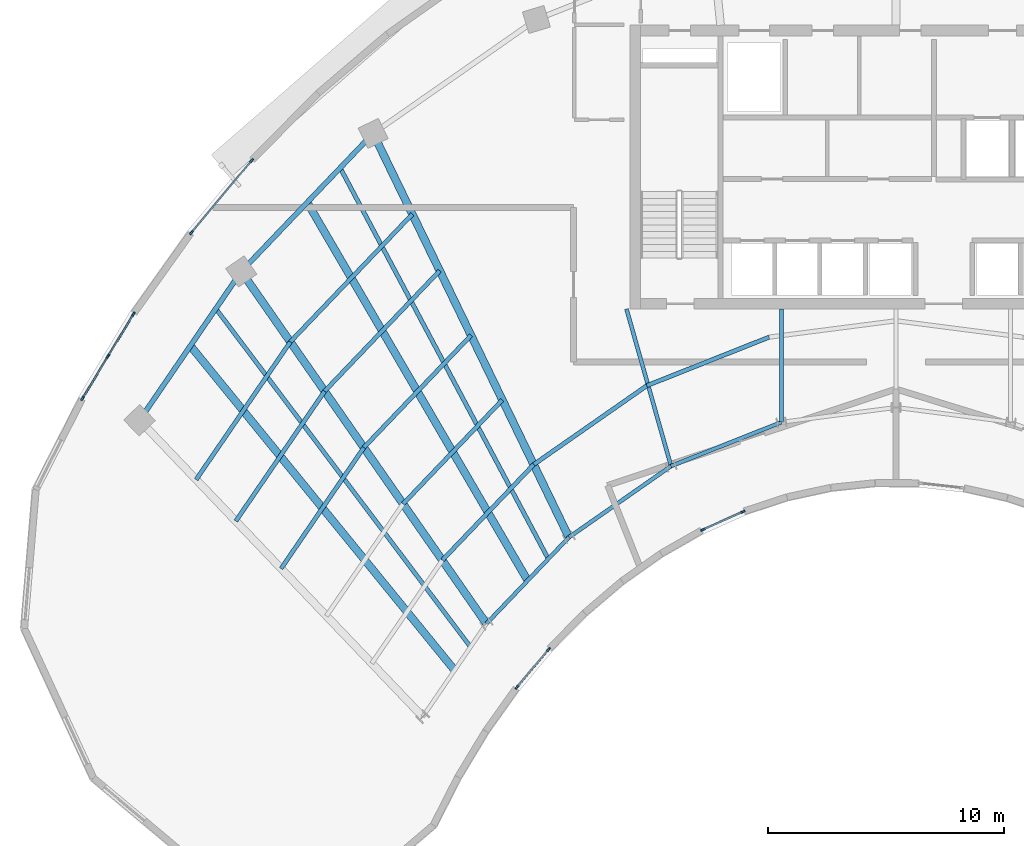
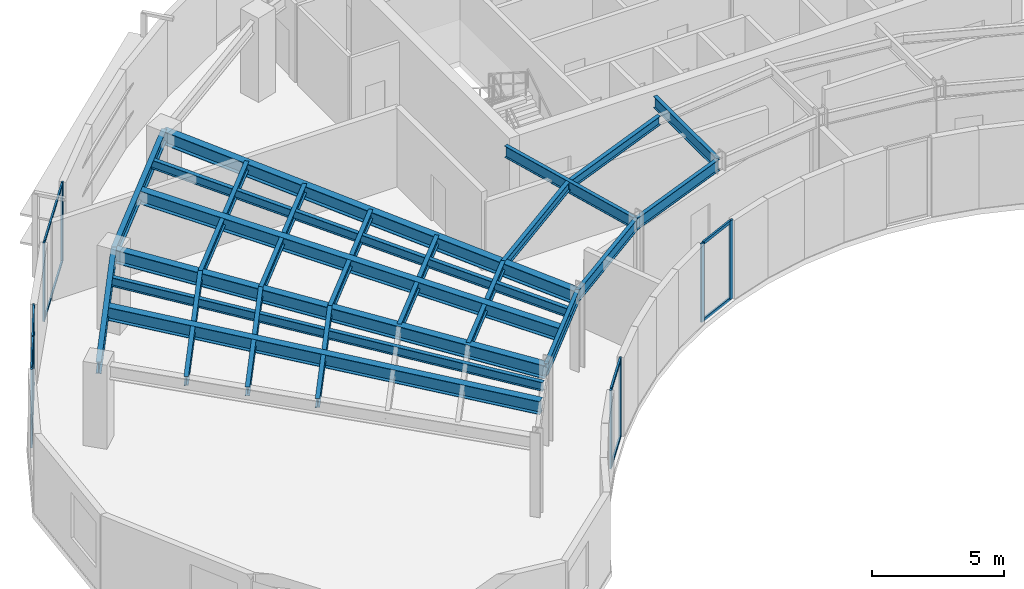
# One storey, part 2 of 15: 23 beams, 21 members, 4 elements without a shape of their own.
"""IFC4 building model written with IfcOpenShell, lengths in metres."""

import ifcopenshell
import ifcopenshell.guid

model = None  # the IFC model being written
_history = None  # IfcOwnerHistory: only IFC2X3 demands one
_inside = {}  # id of a spatial element -> (the spatial element, [elements in it])
_under = {}  # id of a project, library or spatial element -> (it, [spatial elements below it])
_declared = {}  # id of a project -> (the project, [libraries it declares])
_typed = {}  # id of a type object -> (the type object, [elements of that type])
_made_of = {}  # id of a material, layer set ... -> (it, [elements and type objects made of it])


def new_model(schema):
    """Start an empty IFC model of exactly this schema.

    Asked for "IFC4X3", IfcOpenShell would pick the latest addendum, in which some entities
    have other attributes; the version numbers below select the first issue.
    IFC2X3 requires an IfcOwnerHistory on every rooted entity: one is made here for all.
    """
    global model, _history
    if schema == "IFC4X3":
        model = ifcopenshell.file(schema_version=(4, 3, 0, 0))
    else:
        model = ifcopenshell.file(schema=schema)
    _inside.clear()
    _under.clear()
    _declared.clear()
    _typed.clear()
    _made_of.clear()
    _history = None
    if model.schema == "IFC2X3":
        org = make("IfcOrganization", Name="unknown")
        user = make(
            "IfcPersonAndOrganization",
            ThePerson=make("IfcPerson", FamilyName="unknown"),
            TheOrganization=org,
        )
        app = make(
            "IfcApplication",
            ApplicationDeveloper=org,
            Version="unknown",
            ApplicationFullName="unknown",
            ApplicationIdentifier="unknown",
        )
        _history = make(
            "IfcOwnerHistory",
            OwningUser=user,
            OwningApplication=app,
            ChangeAction="ADDED",
            CreationDate=0,
        )
    return model


def make(cls, **values):
    """One entity of the class cls with the attributes given. An attribute that is None is left unset."""
    return model.create_entity(
        cls, **{name: value for name, value in values.items() if value is not None}
    )


def rooted(cls, **values):
    """An entity with a GlobalId (a new one), such as an element, a storey or a relation."""
    return make(cls, GlobalId=ifcopenshell.guid.new(), OwnerHistory=_history, **values)


def si_unit(unit_type, name, prefix=None):
    """IfcSIUnit, for example si_unit("LENGTHUNIT", "METRE", prefix="MILLI")."""
    return make("IfcSIUnit", UnitType=unit_type, Prefix=prefix, Name=name)


def assignment(units):
    """IfcUnitAssignment: the units of a project."""
    return None if units is None else make("IfcUnitAssignment", Units=units)


def point(xyz):
    """IfcCartesianPoint."""
    return None if xyz is None else make("IfcCartesianPoint", Coordinates=xyz)


def direction(xyz):
    """IfcDirection."""
    return None if xyz is None else make("IfcDirection", DirectionRatios=xyz)


def frame(location, z_axis=None, x_axis=None):
    """IfcAxis2Placement3D, a coordinate frame: its origin and axes. An axis left out is left unset."""
    return make(
        "IfcAxis2Placement3D",
        Location=point(location),
        Axis=direction(z_axis),
        RefDirection=direction(x_axis),
    )


def frame_2d(location, x_axis=None):
    """IfcAxis2Placement2D, a coordinate frame in the plane: its origin and x axis."""
    return make(
        "IfcAxis2Placement2D", Location=point(location), RefDirection=direction(x_axis)
    )


def origin():
    """The frame at (0, 0, 0) with its axes left unset."""
    return frame((0.0, 0.0, 0.0))


def origin_2d():
    """The frame at (0, 0) in the plane with its x axis left unset."""
    return frame_2d((0.0, 0.0))


def place(relative_to, where):
    """IfcLocalPlacement: puts the frame where relative to a parent placement (None: the world)."""
    return make(
        "IfcLocalPlacement", PlacementRelTo=relative_to, RelativePlacement=where
    )


def context(
    kind, dimensions, precision=None, world=None, true_north=None, identifier=None
):
    """IfcGeometricRepresentationContext, for example the 3D "Model" context."""
    return make(
        "IfcGeometricRepresentationContext",
        ContextIdentifier=identifier,
        ContextType=kind,
        CoordinateSpaceDimension=dimensions,
        Precision=precision,
        WorldCoordinateSystem=world,
        TrueNorth=true_north,
    )


def subcontext(parent, identifier, kind, view, scale=None):
    """IfcGeometricRepresentationSubContext, for example "Body" below "Model"."""
    return make(
        "IfcGeometricRepresentationSubContext",
        ContextIdentifier=identifier,
        ContextType=kind,
        ParentContext=parent,
        TargetScale=scale,
        TargetView=view,
    )


def project(units=None, contexts=None):
    """IfcProject with its units and contexts."""
    return rooted(
        "IfcProject",
        Name="project",
        RepresentationContexts=contexts,
        UnitsInContext=assignment(units),
    )


def spatial(cls, under=None, at=None, **own):
    """A site, building, storey or space (cls), placed at a placement, below another one or the project."""
    s = rooted(cls, ObjectPlacement=at, **own)
    if under is not None:
        _under.setdefault(under.id(), (under, []))[1].append(s)
    return s


def profile(cls, at=None, kind="AREA", **sizes):
    """A parametric profile (cls). Its sizes go by their IFC names, for example OverallWidth=200.0."""
    return make(cls, ProfileType=kind, Position=at, **sizes)


def rectangle(**sizes):
    """IfcRectangleProfileDef."""
    return profile("IfcRectangleProfileDef", **sizes)


def i_section(**sizes):
    """IfcIShapeProfileDef."""
    return profile("IfcIShapeProfileDef", **sizes)


def extrude(swept, where, along, depth):
    """IfcExtrudedAreaSolid: the profile swept, set in the frame where, extruded along a direction by depth."""
    return make(
        "IfcExtrudedAreaSolid",
        SweptArea=swept,
        Position=where,
        ExtrudedDirection=direction(along),
        Depth=depth,
    )


def shape(context_of_items, identifier, shape_type, items):
    """IfcShapeRepresentation: the items that make up one representation, for example the "Body"."""
    return make(
        "IfcShapeRepresentation",
        ContextOfItems=context_of_items,
        RepresentationIdentifier=identifier,
        RepresentationType=shape_type,
        Items=items,
    )


def source(mapping_origin, context_of_items, identifier, shape_type, items):
    """IfcRepresentationMap: a shape defined once, which mapped items show again and again."""
    return make(
        "IfcRepresentationMap",
        MappingOrigin=mapping_origin,
        MappedRepresentation=shape(context_of_items, identifier, shape_type, items),
    )


def transform(
    local_origin,
    x_axis=None,
    y_axis=None,
    z_axis=None,
    scale=None,
    scale2=None,
    scale3=None,
    uniform=True,
):
    """IfcCartesianTransformationOperator3D, or its non-uniform kind. x_axis, y_axis, z_axis: its Axis1, 2, 3."""
    if uniform:
        return make(
            "IfcCartesianTransformationOperator3D",
            Axis1=direction(x_axis),
            Axis2=direction(y_axis),
            LocalOrigin=point(local_origin),
            Scale=scale,
            Axis3=direction(z_axis),
        )
    return make(
        "IfcCartesianTransformationOperator3DnonUniform",
        Axis1=direction(x_axis),
        Axis2=direction(y_axis),
        LocalOrigin=point(local_origin),
        Scale=scale,
        Axis3=direction(z_axis),
        Scale2=scale2,
        Scale3=scale3,
    )


def mapped(mapping_source, mapping_target):
    """IfcMappedItem: shows the shape of a source again, moved by a transform."""
    return make(
        "IfcMappedItem", MappingSource=mapping_source, MappingTarget=mapping_target
    )


def material(Name=None, Category=None):
    """IfcMaterial."""
    return make("IfcMaterial", Name=Name, Category=Category)


def layer(
    of_material, thickness, ventilated=None, Name=None, Category=None, Priority=None
):
    """IfcMaterialLayer: one layer of a wall or slab, of a material (None: an air gap)."""
    return make(
        "IfcMaterialLayer",
        Material=of_material,
        LayerThickness=thickness,
        IsVentilated=ventilated,
        Name=Name,
        Category=Category,
        Priority=Priority,
    )


def layer_set(layers, Name=None):
    """IfcMaterialLayerSet."""
    return make("IfcMaterialLayerSet", MaterialLayers=layers, LayerSetName=Name)


def material_profile(
    of_material, cross_section, Name=None, Category=None, Priority=None
):
    """IfcMaterialProfile: a cross section and its material."""
    return make(
        "IfcMaterialProfile",
        Name=Name,
        Material=of_material,
        Profile=cross_section,
        Priority=Priority,
        Category=Category,
    )


def profile_set(profiles, Name=None, composite=None):
    """IfcMaterialProfileSet."""
    return make(
        "IfcMaterialProfileSet",
        Name=Name,
        MaterialProfiles=profiles,
        CompositeProfile=composite,
    )


def made_of(thing, what):
    """Note that an element or type object is made of a material, layer set ...; save() writes the relation."""
    if what is not None:
        _made_of.setdefault(what.id(), (what, []))[1].append(thing)
    return thing


def type_object(cls, material=None, **own):
    """A type object (cls), such as IfcWallType, which elements share."""
    return made_of(rooted(cls, **own), material)


def type_shapes(of_type, sources):
    """Give a type object the sources (RepresentationMaps) that its elements show as mapped items."""
    of_type.RepresentationMaps = sources


def element(
    cls,
    number,
    at=None,
    inside=None,
    cuts=None,
    type_object=None,
    material=None,
    context=None,
    identifier="Body",
    shape_type=None,
    held_by="IfcProductDefinitionShape",
    body=None,
    shapes=None,
    **own,
):
    """One element of the class cls, such as IfcWall. Its Tag is "e" and its number.

    at: its placement. inside: the storey or other place that contains it. cuts: it is an
    opening in that element (IfcRelVoidsElement). A single representation is given by context,
    identifier, shape_type and body (its items); several are given by shapes. held_by: the class
    of the entity that holds the representations. save() writes the other relations.
    """
    e = rooted(cls, Tag="e%d" % number, ObjectPlacement=at, **own)
    if body is not None:
        shapes = [shape(context, identifier, shape_type, body)]
    if shapes is not None:
        e.Representation = make(held_by, Representations=shapes)
    if inside is not None:
        _inside.setdefault(inside.id(), (inside, []))[1].append(e)
    if cuts is not None:
        rooted(
            "IfcRelVoidsElement", RelatingBuildingElement=cuts, RelatedOpeningElement=e
        )
    if type_object is not None:
        _typed.setdefault(type_object.id(), (type_object, []))[1].append(e)
    return made_of(e, material)


def aggregate(whole, parts):
    """IfcRelAggregates: a whole, such as a stair, and the parts it consists of."""
    return rooted("IfcRelAggregates", RelatingObject=whole, RelatedObjects=parts)


def save(model, path):
    """Write the relations noted so far, then the file.

    IfcRelAggregates (storeys below a building ...), IfcRelContainedInSpatialStructure (elements
    in a storey), IfcRelDefinesByType, IfcRelAssociatesMaterial and IfcRelDeclares: one each for
    every whole, place, type object, material and project.
    """
    for whole, parts in _under.values():
        aggregate(whole, parts)
    for where, things in _inside.values():
        rooted(
            "IfcRelContainedInSpatialStructure",
            RelatedElements=things,
            RelatingStructure=where,
        )
    for kind, things in _typed.values():
        rooted("IfcRelDefinesByType", RelatedObjects=things, RelatingType=kind)
    for what, things in _made_of.values():
        rooted("IfcRelAssociatesMaterial", RelatedObjects=things, RelatingMaterial=what)
    for by, libraries in _declared.values():
        rooted("IfcRelDeclares", RelatingContext=by, RelatedDefinitions=libraries)
    model.write(path)


model = new_model("IFC4")

# Units and contexts
model_context = context("Model", 3, precision=1e-05, world=origin(), true_north=direction((0.0, 1.0)))
body_context = subcontext(model_context, "Body", "Model", "MODEL_VIEW")
ifc_project = project(units=[si_unit("LENGTHUNIT", "METRE"), si_unit("AREAUNIT", "SQUARE_METRE"), si_unit("VOLUMEUNIT", "CUBIC_METRE"), si_unit("PLANEANGLEUNIT", "RADIAN"), si_unit("MASSUNIT", "GRAM", prefix="KILO")], contexts=[model_context])

# Site, building, storey
site_placement = place(None, origin())
site = spatial("IfcSite", under=ifc_project, at=site_placement, CompositionType="ELEMENT")
building_placement = place(site_placement, origin())
building = spatial("IfcBuilding", under=site, at=building_placement, Name="Breltana Convention Tower", CompositionType="ELEMENT")
storey_placement = place(building_placement, frame((0.0, 0.0, 231.300048828125)))
storey = spatial("IfcBuildingStorey", under=building, at=storey_placement, Name="L56", CompositionType="ELEMENT", Elevation=231.300048828125)

# Beams
ifc_material_1 = material(Name="Steel ASTM A992 Grade 50", Category="steel")
ifc_material_profile_1 = material_profile(ifc_material_1, i_section(OverallWidth=0.323974609375, OverallDepth=0.611083984375, WebThickness=0.0126953125, FlangeThickness=0.01904296875, at=origin_2d()), Name="W24X104")
ifc_profile_set_1 = profile_set([ifc_material_profile_1], Name="Steel ASTM A992 Grade 50")
beam_type_1 = type_object("IfcBeamType", Name="BM-JSG-01", PredefinedType="JOIST", material=ifc_profile_set_1)
shared_shape_1 = source(origin(), body_context, "Body", "SweptSolid", [
    extrude(i_section(OverallWidth=0.323974609375, OverallDepth=0.611083984375, WebThickness=0.0126953125, FlangeThickness=0.01904296875, at=origin_2d()), origin(), (0.0, 0.0, 1.0), 17.691650390625),
])
type_shapes(beam_type_1, [shared_shape_1])
beam_1_placement = place(storey_placement, frame((29.330810546875, 44.923583984375, 3.344482421875), z_axis=(-0.631476958478, 0.775394642044, 0.0), x_axis=(-0.775394642044, -0.631476958478, 0.0)))
element("IfcBeam", 1, at=beam_1_placement, inside=storey, type_object=beam_type_1, Name="L56 Mid-Bay Radial Trimmer 01", PredefinedType="JOIST", context=body_context, shape_type="MappedRepresentation", body=[
    mapped(shared_shape_1, transform((0.0, 0.0, 0.0), scale=1.0)),
])
ifc_material_profile_2 = material_profile(ifc_material_1, i_section(OverallWidth=0.179931640625, OverallDepth=0.4130859375, WebThickness=0.009765625, FlangeThickness=0.01611328125, at=origin_2d()), Name="W16X50")
ifc_profile_set_2 = profile_set([ifc_material_profile_2], Name="Steel ASTM A992 Grade 50")
beam_type_2 = type_object("IfcBeamType", Name="BM-JSG-08", PredefinedType="JOIST", material=ifc_profile_set_2)
shared_shape_2 = source(origin(), body_context, "Body", "SweptSolid", [
    extrude(i_section(OverallWidth=0.179931640625, OverallDepth=0.4130859375, WebThickness=0.009765625, FlangeThickness=0.01611328125, at=origin_2d()), origin(), (0.0, 0.0, 1.0), 17.9072265625),
])
beam_2_placement = place(storey_placement, frame((30.00390625, 45.907958984375, 3.443359375), z_axis=(-0.601382105028, 0.798961553363, 0.0), x_axis=(-0.798961553363, -0.601382105028, 0.0)))
element("IfcBeam", 2, at=beam_2_placement, inside=storey, type_object=beam_type_2, Name="L56 Quarter-Bay Radial Trimmer 01", PredefinedType="JOIST", context=body_context, shape_type="MappedRepresentation", body=[
    mapped(shared_shape_2, transform((0.0, 0.0, 0.0), scale=1.0)),
])
shared_shape_3 = source(origin(), body_context, "Body", "SweptSolid", [
    extrude(i_section(OverallWidth=0.323974609375, OverallDepth=0.611083984375, WebThickness=0.0126953125, FlangeThickness=0.01904296875, at=origin_2d()), origin(), (0.0, 0.0, 1.0), 18.50830078125),
])
beam_3_placement = place(storey_placement, frame((32.421630859375, 48.71875, 3.344482421875), z_axis=(-0.50368319637, 0.863888440537, 0.0), x_axis=(-0.863888440537, -0.50368319637, 0.0)))
element("IfcBeam", 3, at=beam_3_placement, inside=storey, type_object=beam_type_1, Name="L56 Mid-Bay Radial Trimmer 02", PredefinedType="JOIST", context=body_context, shape_type="MappedRepresentation", body=[
    mapped(shared_shape_3, transform((0.0, 0.0, 0.0), scale=1.0)),
])
shared_shape_4 = source(origin(), body_context, "Body", "SweptSolid", [
    extrude(i_section(OverallWidth=0.179931640625, OverallDepth=0.4130859375, WebThickness=0.009765625, FlangeThickness=0.01611328125, at=origin_2d()), origin(), (0.0, 0.0, 1.0), 18.731689453125),
])
beam_4_placement = place(storey_placement, frame((33.2939453125, 49.6318359375, 3.443359375), z_axis=(-0.469820250451, 0.882762104004, 0.0), x_axis=(-0.882762104004, -0.469820250451, 0.0)))
element("IfcBeam", 4, at=beam_4_placement, inside=storey, type_object=beam_type_2, Name="L56 Quarter-Bay Radial Trimmer 02", PredefinedType="JOIST", context=body_context, shape_type="MappedRepresentation", body=[
    mapped(shared_shape_4, transform((0.0, 0.0, 0.0), scale=1.0)),
])
ifc_material_profile_3 = material_profile(ifc_material_1, i_section(OverallWidth=0.166015625, OverallDepth=0.534912109375, WebThickness=0.01025390625, FlangeThickness=0.0166015625, at=origin_2d()), Name="W21X57")
ifc_profile_set_3 = profile_set([ifc_material_profile_3], Name="Steel ASTM A992 Grade 50")
beam_type_3 = type_object("IfcBeamType", Name="BM-BM-W21X57", PredefinedType="BEAM", material=ifc_profile_set_3)
shared_shape_5 = source(origin(), body_context, "Body", "SweptSolid", [
    extrude(i_section(OverallWidth=0.166015625, OverallDepth=0.534912109375, WebThickness=0.01025390625, FlangeThickness=0.0166015625, at=origin_2d()), origin(), (0.0, 0.0, 1.0), 6.904541015625),
])
type_shapes(beam_type_3, [shared_shape_5])
beam_5_placement = place(storey_placement, frame((36.60009765625, 60.199951171875, 3.382568359375), z_axis=(0.273006781054, -0.962012108811, 0.0), x_axis=(0.962012108811, 0.273006781054, 0.0)))
element("IfcBeam", 5, at=beam_5_placement, inside=storey, type_object=beam_type_3, Name="L56 South Core Tie Girder R04", PredefinedType="BEAM", context=body_context, shape_type="MappedRepresentation", body=[
    mapped(shared_shape_5, transform((0.0, 0.0, 0.0), scale=1.0)),
])
shared_shape_6 = source(origin(), body_context, "Body", "SweptSolid", [
    extrude(i_section(OverallWidth=0.166015625, OverallDepth=0.534912109375, WebThickness=0.01025390625, FlangeThickness=0.0166015625, at=origin_2d()), origin(), (0.0, 0.0, 1.0), 4.789306640625),
])
beam_6_placement = place(storey_placement, frame((43.153564453125, 60.199951171875, 3.382568359375), z_axis=(0.0, -1.0, 0.0), x_axis=(1.0, 0.0, 0.0)))
element("IfcBeam", 6, at=beam_6_placement, inside=storey, type_object=beam_type_3, Name="L56 South Core Tie Girder R05", PredefinedType="BEAM", context=body_context, shape_type="MappedRepresentation", body=[
    mapped(shared_shape_6, transform((0.0, 0.0, 0.0), scale=1.0)),
])
shared_shape_7 = source(origin(), body_context, "Body", "SweptSolid", [
    extrude(i_section(OverallWidth=0.166015625, OverallDepth=0.534912109375, WebThickness=0.01025390625, FlangeThickness=0.0166015625, at=origin_2d()), origin(), (0.0, 0.0, 1.0), 5.05126953125),
])
beam_7_placement = place(storey_placement, frame((30.67724609375, 46.892333984375, 3.382568359375), z_axis=(0.690729753845, 0.7231129975, 0.0), x_axis=(-0.7231129975, 0.690729753845, 0.0)))
element("IfcBeam", 7, at=beam_7_placement, inside=storey, type_object=beam_type_3, Name="L56 Inner Ring Beam 02", PredefinedType="BEAM", context=body_context, shape_type="MappedRepresentation", body=[
    mapped(shared_shape_7, transform((0.0, 0.0, 0.0), scale=1.0)),
])
shared_shape_8 = source(origin(), body_context, "Body", "SweptSolid", [
    extrude(i_section(OverallWidth=0.166015625, OverallDepth=0.534912109375, WebThickness=0.01025390625, FlangeThickness=0.0166015625, at=origin_2d()), origin(), (0.0, 0.0, 1.0), 5.265869140625),
])
beam_8_placement = place(storey_placement, frame((34.166259765625, 50.544921875, 3.382568359375), z_axis=(0.820167429517, 0.572123577176, 0.0), x_axis=(-0.572123577176, 0.820167429517, 0.0)))
element("IfcBeam", 8, at=beam_8_placement, inside=storey, type_object=beam_type_3, Name="L56 Inner Ring Beam 03", PredefinedType="BEAM", context=body_context, shape_type="MappedRepresentation", body=[
    mapped(shared_shape_8, transform((0.0, 0.0, 0.0), scale=1.0)),
])
shared_shape_9 = source(origin(), body_context, "Body", "SweptSolid", [
    extrude(i_section(OverallWidth=0.166015625, OverallDepth=0.534912109375, WebThickness=0.01025390625, FlangeThickness=0.0166015625, at=origin_2d()), origin(), (0.0, 0.0, 1.0), 5.022705078125),
])
beam_9_placement = place(storey_placement, frame((38.485107421875, 53.5576171875, 3.382568359375), z_axis=(0.929458966248, 0.368925507469, 0.0), x_axis=(-0.368925507469, 0.929458966248, 0.0)))
element("IfcBeam", 9, at=beam_9_placement, inside=storey, type_object=beam_type_3, Name="L56 Inner Ring Beam 04", PredefinedType="BEAM", context=body_context, shape_type="MappedRepresentation", body=[
    mapped(shared_shape_9, transform((0.0, 0.0, 0.0), scale=1.0)),
])
ifc_material_profile_4 = material_profile(ifc_material_1, i_section(OverallWidth=0.326904296875, OverallDepth=0.6220703125, WebThickness=0.015380859375, FlangeThickness=0.0244140625, at=origin_2d()), Name="W24X131")
ifc_profile_set_4 = profile_set([ifc_material_profile_4], Name="Steel ASTM A992 Grade 50")
beam_type_4 = type_object("IfcBeamType", Name="BM-RG-W24X131", PredefinedType="USERDEFINED", material=ifc_profile_set_4)
shared_shape_10 = source(origin(), body_context, "Body", "SweptSolid", [
    extrude(i_section(OverallWidth=0.326904296875, OverallDepth=0.6220703125, WebThickness=0.015380859375, FlangeThickness=0.0244140625, at=origin_2d()), origin(), (0.0, 0.0, 1.0), 18.1484375),
])
beam_10_placement = place(storey_placement, frame((30.67724609375, 46.892333984375, 3.3388671875), z_axis=(-0.571207556098, 0.820805657788, 0.0), x_axis=(-0.820805657788, -0.571207556098, 0.0)))
element("IfcBeam", 10, at=beam_10_placement, inside=storey, type_object=beam_type_4, Name="L56 Radial Floor Girder R02", ObjectType="GIRDER", PredefinedType="USERDEFINED", context=body_context, shape_type="MappedRepresentation", body=[
    mapped(shared_shape_10, transform((0.0, 0.0, 0.0), scale=1.0)),
])
shared_shape_11 = source(origin(), body_context, "Body", "SweptSolid", [
    extrude(i_section(OverallWidth=0.326904296875, OverallDepth=0.6220703125, WebThickness=0.015380859375, FlangeThickness=0.0244140625, at=origin_2d()), origin(), (0.0, 0.0, 1.0), 18.982421875),
])
beam_11_placement = place(storey_placement, frame((34.166259765625, 50.544921875, 3.3388671875), z_axis=(-0.436118560343, 0.89988921614, 0.0), x_axis=(-0.89988921614, -0.436118560343, 0.0)))
element("IfcBeam", 11, at=beam_11_placement, inside=storey, type_object=beam_type_4, Name="L56 Radial Floor Girder R03", ObjectType="GIRDER", PredefinedType="USERDEFINED", context=body_context, shape_type="MappedRepresentation", body=[
    mapped(shared_shape_11, transform((0.0, 0.0, 0.0), scale=1.0)),
])
ifc_material_profile_5 = material_profile(ifc_material_1, i_section(OverallWidth=0.214111328125, OverallDepth=0.549072265625, WebThickness=0.0146484375, FlangeThickness=0.023681640625, at=origin_2d()), Name="W21X93")
ifc_profile_set_5 = profile_set([ifc_material_profile_5], Name="Steel ASTM A992 Grade 50")
beam_type_5 = type_object("IfcBeamType", Name="BM-SP-W21X93", PredefinedType="SPANDREL", material=ifc_profile_set_5)
shared_shape_12 = source(origin(), body_context, "Body", "SweptSolid", [
    extrude(i_section(OverallWidth=0.214111328125, OverallDepth=0.549072265625, WebThickness=0.0146484375, FlangeThickness=0.023681640625, at=origin_2d()), origin(), (0.0, 0.0, 1.0), 7.625),
])
type_shapes(beam_type_5, [shared_shape_12])
beam_12_placement = place(storey_placement, frame((16.0068359375, 55.494384765625, 3.37548828125), z_axis=(0.564452031902, 0.825465870694, 0.0), x_axis=(-0.825465870694, 0.564452031902, 0.0)))
element("IfcBeam", 12, at=beam_12_placement, inside=storey, type_object=beam_type_5, Name="L56 Outer Spandrel Beam 01", PredefinedType="SPANDREL", context=body_context, shape_type="MappedRepresentation", body=[
    mapped(shared_shape_12, transform((0.0, 0.0, 0.0), scale=1.0)),
])
shared_shape_13 = source(origin(), body_context, "Body", "SweptSolid", [
    extrude(i_section(OverallWidth=0.214111328125, OverallDepth=0.549072265625, WebThickness=0.0146484375, FlangeThickness=0.023681640625, at=origin_2d()), origin(), (0.0, 0.0, 1.0), 8.073974609375),
])
beam_13_placement = place(storey_placement, frame((20.310791015625, 61.78857421875, 3.37548828125), z_axis=(0.69072885448, 0.723113856588, 0.0), x_axis=(-0.723113856588, 0.69072885448, 0.0)))
element("IfcBeam", 13, at=beam_13_placement, inside=storey, type_object=beam_type_5, Name="L56 Outer Spandrel Beam 02", PredefinedType="SPANDREL", context=body_context, shape_type="MappedRepresentation", body=[
    mapped(shared_shape_13, transform((0.0, 0.0, 0.0), scale=1.0)),
])
shared_shape_14 = source(origin(), body_context, "Body", "SweptSolid", [
    extrude(i_section(OverallWidth=0.179931640625, OverallDepth=0.4130859375, WebThickness=0.009765625, FlangeThickness=0.01611328125, at=origin_2d()), origin(), (0.0, 0.0, 1.0), 6.19775390625),
])
beam_14_placement = place(storey_placement, frame((21.99560546875, 49.224609375, 3.443359375), z_axis=(0.56447913712, 0.825447335544, 0.0), x_axis=(-0.825447335544, 0.56447913712, 0.0)))
element("IfcBeam", 14, at=beam_14_placement, inside=storey, type_object=beam_type_2, Name="L56 Composite Floor Joist 01.3", PredefinedType="JOIST", context=body_context, shape_type="MappedRepresentation", body=[
    mapped(shared_shape_14, transform((0.0, 0.0, 0.0), scale=1.0)),
])
shared_shape_15 = source(origin(), body_context, "Body", "SweptSolid", [
    extrude(i_section(OverallWidth=0.179931640625, OverallDepth=0.4130859375, WebThickness=0.009765625, FlangeThickness=0.01611328125, at=origin_2d()), origin(), (0.0, 0.0, 1.0), 6.654541015625),
])
beam_15_placement = place(storey_placement, frame((20.0791015625, 51.23095703125, 3.443359375), z_axis=(0.564482668195, 0.82544492082, 0.0), x_axis=(-0.82544492082, 0.564482668195, 0.0)))
element("IfcBeam", 15, at=beam_15_placement, inside=storey, type_object=beam_type_2, Name="L56 Composite Floor Joist 01.4", PredefinedType="JOIST", context=body_context, shape_type="MappedRepresentation", body=[
    mapped(shared_shape_15, transform((0.0, 0.0, 0.0), scale=1.0)),
])
shared_shape_16 = source(origin(), body_context, "Body", "SweptSolid", [
    extrude(i_section(OverallWidth=0.179931640625, OverallDepth=0.4130859375, WebThickness=0.009765625, FlangeThickness=0.01611328125, at=origin_2d()), origin(), (0.0, 0.0, 1.0), 7.05419921875),
])
beam_16_placement = place(storey_placement, frame((18.40234375, 52.986572265625, 3.443359375), z_axis=(0.564485382828, 0.825443064405, 0.0), x_axis=(-0.825443064405, 0.564485382828, 0.0)))
element("IfcBeam", 16, at=beam_16_placement, inside=storey, type_object=beam_type_2, Name="L56 Composite Floor Joist 01.5", PredefinedType="JOIST", context=body_context, shape_type="MappedRepresentation", body=[
    mapped(shared_shape_16, transform((0.0, 0.0, 0.0), scale=1.0)),
])
shared_shape_17 = source(origin(), body_context, "Body", "SweptSolid", [
    extrude(i_section(OverallWidth=0.179931640625, OverallDepth=0.4130859375, WebThickness=0.009765625, FlangeThickness=0.01611328125, at=origin_2d()), origin(), (0.0, 0.0, 1.0), 5.59521484375),
])
beam_17_placement = place(storey_placement, frame((28.811279296875, 49.57373046875, 3.443359375), z_axis=(0.690711281401, 0.72313064224, 0.0), x_axis=(-0.72313064224, 0.690711281401, 0.0)))
element("IfcBeam", 17, at=beam_17_placement, inside=storey, type_object=beam_type_2, Name="L56 Composite Floor Joist 02.1", PredefinedType="JOIST", context=body_context, shape_type="MappedRepresentation", body=[
    mapped(shared_shape_17, transform((0.0, 0.0, 0.0), scale=1.0)),
])
shared_shape_18 = source(origin(), body_context, "Body", "SweptSolid", [
    extrude(i_section(OverallWidth=0.179931640625, OverallDepth=0.4130859375, WebThickness=0.009765625, FlangeThickness=0.01611328125, at=origin_2d()), origin(), (0.0, 0.0, 1.0), 6.0791015625),
])
beam_18_placement = place(storey_placement, frame((27.152587890625, 51.95703125, 3.443359375), z_axis=(0.690736468909, 0.723106583098, 0.0), x_axis=(-0.723106583098, 0.690736468909, 0.0)))
element("IfcBeam", 18, at=beam_18_placement, inside=storey, type_object=beam_type_2, Name="L56 Composite Floor Joist 02.2", PredefinedType="JOIST", context=body_context, shape_type="MappedRepresentation", body=[
    mapped(shared_shape_18, transform((0.0, 0.0, 0.0), scale=1.0)),
])
shared_shape_19 = source(origin(), body_context, "Body", "SweptSolid", [
    extrude(i_section(OverallWidth=0.179931640625, OverallDepth=0.4130859375, WebThickness=0.009765625, FlangeThickness=0.01611328125, at=origin_2d()), origin(), (0.0, 0.0, 1.0), 6.562255859375),
])
beam_19_placement = place(storey_placement, frame((25.494140625, 54.340576171875, 3.443359375), z_axis=(0.690719038213, 0.723123233101, 0.0), x_axis=(-0.723123233101, 0.690719038213, 0.0)))
element("IfcBeam", 19, at=beam_19_placement, inside=storey, type_object=beam_type_2, Name="L56 Composite Floor Joist 02.3", PredefinedType="JOIST", context=body_context, shape_type="MappedRepresentation", body=[
    mapped(shared_shape_19, transform((0.0, 0.0, 0.0), scale=1.0)),
])
shared_shape_20 = source(origin(), body_context, "Body", "SweptSolid", [
    extrude(i_section(OverallWidth=0.179931640625, OverallDepth=0.4130859375, WebThickness=0.009765625, FlangeThickness=0.01611328125, at=origin_2d()), origin(), (0.0, 0.0, 1.0), 7.046142578125),
])
beam_20_placement = place(storey_placement, frame((23.83544921875, 56.723876953125, 3.443359375), z_axis=(0.690722929904, 0.723119515782, 0.0), x_axis=(-0.723119515782, 0.690722929904, 0.0)))
element("IfcBeam", 20, at=beam_20_placement, inside=storey, type_object=beam_type_2, Name="L56 Composite Floor Joist 02.4", PredefinedType="JOIST", context=body_context, shape_type="MappedRepresentation", body=[
    mapped(shared_shape_20, transform((0.0, 0.0, 0.0), scale=1.0)),
])
shared_shape_21 = source(origin(), body_context, "Body", "SweptSolid", [
    extrude(i_section(OverallWidth=0.179931640625, OverallDepth=0.4130859375, WebThickness=0.009765625, FlangeThickness=0.01611328125, at=origin_2d()), origin(), (0.0, 0.0, 1.0), 7.469482421875),
])
beam_21_placement = place(storey_placement, frame((22.38427734375, 58.809326171875, 3.443359375), z_axis=(0.690708925898, 0.723132892133, 0.0), x_axis=(-0.723132892133, 0.690708925898, 0.0)))
element("IfcBeam", 21, at=beam_21_placement, inside=storey, type_object=beam_type_2, Name="L56 Composite Floor Joist 02.5", PredefinedType="JOIST", context=body_context, shape_type="MappedRepresentation", body=[
    mapped(shared_shape_21, transform((0.0, 0.0, 0.0), scale=1.0)),
])
shared_shape_22 = source(origin(), body_context, "Body", "SweptSolid", [
    extrude(i_section(OverallWidth=0.179931640625, OverallDepth=0.4130859375, WebThickness=0.009765625, FlangeThickness=0.01611328125, at=origin_2d()), origin(), (0.0, 0.0, 1.0), 5.8330078125),
])
beam_22_placement = place(storey_placement, frame((32.676025390625, 53.619873046875, 3.443359375), z_axis=(0.820198204115, 0.572079457739, 0.0), x_axis=(-0.572079457739, 0.820198204115, 0.0)))
element("IfcBeam", 22, at=beam_22_placement, inside=storey, type_object=beam_type_2, Name="L56 Composite Floor Joist 03.1", PredefinedType="JOIST", context=body_context, shape_type="MappedRepresentation", body=[
    mapped(shared_shape_22, transform((0.0, 0.0, 0.0), scale=1.0)),
])
shared_shape_23 = source(origin(), body_context, "Body", "SweptSolid", [
    extrude(i_section(OverallWidth=0.179931640625, OverallDepth=0.4130859375, WebThickness=0.009765625, FlangeThickness=0.01611328125, at=origin_2d()), origin(), (0.0, 0.0, 1.0), 5.563720703125),
])
beam_23_placement = place(storey_placement, frame((37.460205078125, 56.956787109375, 3.443359375), z_axis=(0.929447960386, 0.368953234074, 0.0), x_axis=(-0.368953234074, 0.929447960386, 0.0)))
element("IfcBeam", 23, at=beam_23_placement, inside=storey, type_object=beam_type_2, Name="L56 Composite Floor Joist 04.1", PredefinedType="JOIST", context=body_context, shape_type="MappedRepresentation", body=[
    mapped(shared_shape_23, transform((0.0, 0.0, 0.0), scale=1.0)),
])

# Curtain wall, members
ifc_material_2 = material(Name="Aluminium Anodised Bronze Frame", Category="aluminium")
ifc_layer_1 = layer(ifc_material_2, 0.18994140625, Name="Aluminium Anodised Bronze Frame")
ifc_layer_set_1 = layer_set([ifc_layer_1], Name="Aluminium Anodised Bronze Frame")
curtain_wall_type_1 = type_object("IfcCurtainWallType", Name="CW-SYS-1", PredefinedType="NOTDEFINED", material=ifc_layer_set_1)
curtain_wall_1_placement = place(storey_placement, origin())
curtain_wall_1 = element("IfcCurtainWall", 24, at=curtain_wall_1_placement, inside=storey, type_object=curtain_wall_type_1, Name="L56 inner south-court glazing 4", PredefinedType="NOTDEFINED")
ifc_material_3 = material(Name="Aluminium Anodised Bronze", Category="aluminium")
ifc_material_profile_6 = material_profile(ifc_material_3, rectangle(XDim=0.080078125, YDim=0.199951171875, at=origin_2d()), Name="CWM-80X200")
ifc_profile_set_6 = profile_set([ifc_material_profile_6], Name="Aluminium Anodised Bronze")
member_type_1 = type_object("IfcMemberType", Name="CWM-200", PredefinedType="MULLION", material=ifc_profile_set_6)
shared_shape_24 = source(origin(), body_context, "Body", "SweptSolid", [
    extrude(rectangle(XDim=0.080078125, YDim=0.199951171875, at=origin_2d()), origin(), (0.0, 0.0, 1.0), 3.64990234375),
])
member_1_placement = place(storey_placement, frame((41.520263671875, 51.623046875, 0.0), z_axis=(0.0, 0.0, 1.0), x_axis=(0.408602272116, -0.912712541396, 0.0)))
member_1 = element("IfcMember", 25, at=member_1_placement, type_object=member_type_1, Name="CW-01 mullion 1", PredefinedType="MULLION", context=body_context, shape_type="MappedRepresentation", body=[
    mapped(shared_shape_24, transform((0.0, 0.0, 0.0), scale=1.0)),
])
member_2_placement = place(storey_placement, frame((39.8310546875, 50.86669921875, 0.0), z_axis=(0.0, 0.0, 1.0), x_axis=(0.408602272116, -0.912712541396, 0.0)))
member_2 = element("IfcMember", 26, at=member_2_placement, type_object=member_type_1, Name="CW-01 mullion 2", PredefinedType="MULLION", context=body_context, shape_type="MappedRepresentation", body=[
    mapped(shared_shape_24, transform((0.0, 0.0, 0.0), scale=1.0)),
])

curtain_wall_2_placement = place(storey_placement, origin())
curtain_wall_2 = element("IfcCurtainWall", 27, at=curtain_wall_2_placement, inside=storey, type_object=curtain_wall_type_1, Name="L56 inner south-court glazing 5", PredefinedType="NOTDEFINED")
member_3_placement = place(storey_placement, frame((33.301025390625, 45.796875, 0.0), z_axis=(0.0, 0.0, 1.0), x_axis=(0.766884273635, -0.641785408725, 0.0)))
member_3 = element("IfcMember", 28, at=member_3_placement, type_object=member_type_1, Name="CW-01 mullion 1", PredefinedType="MULLION", context=body_context, shape_type="MappedRepresentation", body=[
    mapped(shared_shape_24, transform((0.0, 0.0, 0.0), scale=1.0)),
])
member_4_placement = place(storey_placement, frame((31.965576171875, 44.201171875, 0.0), z_axis=(0.0, 0.0, 1.0), x_axis=(0.766884273635, -0.641785408725, 0.0)))
member_4 = element("IfcMember", 29, at=member_4_placement, type_object=member_type_1, Name="CW-01 mullion 2", PredefinedType="MULLION", context=body_context, shape_type="MappedRepresentation", body=[
    mapped(shared_shape_24, transform((0.0, 0.0, 0.0), scale=1.0)),
])

ifc_layer_2 = layer(ifc_material_2, 0.219970703125, Name="Aluminium Anodised Bronze Frame")
ifc_layer_set_2 = layer_set([ifc_layer_2], Name="Aluminium Anodised Bronze Frame")
curtain_wall_type_2 = type_object("IfcCurtainWallType", Name="CW-SYS-4", PredefinedType="NOTDEFINED", material=ifc_layer_set_2)
curtain_wall_3_placement = place(storey_placement, origin())
curtain_wall_3 = element("IfcCurtainWall", 30, at=curtain_wall_3_placement, inside=storey, type_object=curtain_wall_type_2, Name="L56 outer double-skin inner glazing 1", PredefinedType="NOTDEFINED")
member_5_placement = place(storey_placement, frame((13.59912109375, 56.421630859375, 0.0), z_axis=(0.0, 0.0, 1.0), x_axis=(-0.856060706117, 0.516875291963, 0.0)))
member_5 = element("IfcMember", 31, at=member_5_placement, type_object=member_type_1, Name="CW-04 mullion 1", PredefinedType="MULLION", context=body_context, shape_type="MappedRepresentation", body=[
    mapped(shared_shape_24, transform((0.0, 0.0, 0.0), scale=1.0)),
])
member_6_placement = place(storey_placement, frame((14.6748046875, 58.203125, 0.0), z_axis=(0.0, 0.0, 1.0), x_axis=(-0.856060706117, 0.516875291963, 0.0)))
member_6 = element("IfcMember", 32, at=member_6_placement, type_object=member_type_1, Name="CW-04 mullion 2", PredefinedType="MULLION", context=body_context, shape_type="MappedRepresentation", body=[
    mapped(shared_shape_24, transform((0.0, 0.0, 0.0), scale=1.0)),
])
member_7_placement = place(storey_placement, frame((15.75048828125, 59.984619140625, 0.0), z_axis=(0.0, 0.0, 1.0), x_axis=(-0.856060706117, 0.516875291963, 0.0)))
member_7 = element("IfcMember", 33, at=member_7_placement, type_object=member_type_1, Name="CW-04 mullion 3", PredefinedType="MULLION", context=body_context, shape_type="MappedRepresentation", body=[
    mapped(shared_shape_24, transform((0.0, 0.0, 0.0), scale=1.0)),
])

curtain_wall_4_placement = place(storey_placement, origin())
curtain_wall_4 = element("IfcCurtainWall", 34, at=curtain_wall_4_placement, inside=storey, type_object=curtain_wall_type_2, Name="L56 outer double-skin inner glazing 2", PredefinedType="NOTDEFINED")
member_8_placement = place(storey_placement, frame((18.201416015625, 63.43017578125, 0.0), z_axis=(0.0, 0.0, 1.0), x_axis=(-0.766902846562, 0.64176321485, 0.0)))
member_8 = element("IfcMember", 35, at=member_8_placement, type_object=member_type_1, Name="CW-04 mullion 1", PredefinedType="MULLION", context=body_context, shape_type="MappedRepresentation", body=[
    mapped(shared_shape_24, transform((0.0, 0.0, 0.0), scale=1.0)),
])
member_9_placement = place(storey_placement, frame((20.750732421875, 66.4765625, 0.0), z_axis=(0.0, 0.0, 1.0), x_axis=(-0.766902846562, 0.64176321485, 0.0)))
member_9 = element("IfcMember", 36, at=member_9_placement, type_object=member_type_1, Name="CW-04 mullion 2", PredefinedType="MULLION", context=body_context, shape_type="MappedRepresentation", body=[
    mapped(shared_shape_24, transform((0.0, 0.0, 0.0), scale=1.0)),
])

# Member
ifc_material_profile_7 = material_profile(ifc_material_3, rectangle(XDim=0.080078125, YDim=0.139892578125, at=origin_2d()), Name="CWT-80X140")
ifc_profile_set_7 = profile_set([ifc_material_profile_7], Name="Aluminium Anodised Bronze")
member_type_2 = type_object("IfcMemberType", Name="CWT-140", PredefinedType="USERDEFINED", material=ifc_profile_set_7)
shared_shape_25 = source(origin(), body_context, "Body", "SweptSolid", [
    extrude(rectangle(XDim=0.080078125, YDim=0.139892578125, at=origin_2d()), origin(), (0.0, 0.0, 1.0), 1.770751953125),
])
member_10_placement = place(storey_placement, frame((41.48388671875, 51.606689453125, 0.0400390625), z_axis=(-0.9126937852, -0.408644166062, 0.0), x_axis=(0.408644166062, -0.9126937852, 0.0)))
member_10 = element("IfcMember", 37, at=member_10_placement, type_object=member_type_2, Name="CW-01 transom 1.1", ObjectType="TRANSOM", PredefinedType="USERDEFINED", context=body_context, shape_type="MappedRepresentation", body=[
    mapped(shared_shape_25, transform((0.0, 0.0, 0.0), scale=1.0)),
])

member_11_placement = place(storey_placement, frame((41.48388671875, 51.606689453125, 3.60986328125), z_axis=(-0.9126937852, -0.408644166062, 0.0), x_axis=(0.408644166062, -0.9126937852, 0.0)))
member_11 = element("IfcMember", 38, at=member_11_placement, type_object=member_type_2, Name="CW-01 transom 1.2", ObjectType="TRANSOM", PredefinedType="USERDEFINED", context=body_context, shape_type="MappedRepresentation", body=[
    mapped(shared_shape_25, transform((0.0, 0.0, 0.0), scale=1.0)),
])

aggregate(curtain_wall_1, [member_1, member_2, member_10, member_11])

shared_shape_26 = source(origin(), body_context, "Body", "SweptSolid", [
    extrude(rectangle(XDim=0.080078125, YDim=0.139892578125, at=origin_2d()), origin(), (0.0, 0.0, 1.0), 2.000732421875),
])
member_12_placement = place(storey_placement, frame((33.275390625, 45.766357421875, 0.0400390625), z_axis=(-0.641731421328, -0.766929451045, 0.0), x_axis=(0.766929451045, -0.641731421328, 0.0)))
member_12 = element("IfcMember", 39, at=member_12_placement, type_object=member_type_2, Name="CW-01 transom 1.1", ObjectType="TRANSOM", PredefinedType="USERDEFINED", context=body_context, shape_type="MappedRepresentation", body=[
    mapped(shared_shape_26, transform((0.0, 0.0, 0.0), scale=1.0)),
])

member_13_placement = place(storey_placement, frame((33.275390625, 45.766357421875, 3.60986328125), z_axis=(-0.641731421328, -0.766929451045, 0.0), x_axis=(0.766929451045, -0.641731421328, 0.0)))
member_13 = element("IfcMember", 40, at=member_13_placement, type_object=member_type_2, Name="CW-01 transom 1.2", ObjectType="TRANSOM", PredefinedType="USERDEFINED", context=body_context, shape_type="MappedRepresentation", body=[
    mapped(shared_shape_26, transform((0.0, 0.0, 0.0), scale=1.0)),
])

aggregate(curtain_wall_2, [member_3, member_4, member_12, member_13])

ifc_material_profile_8 = material_profile(ifc_material_3, rectangle(XDim=0.070068359375, YDim=0.1201171875, at=origin_2d()), Name="CWT-70X120")
ifc_profile_set_8 = profile_set([ifc_material_profile_8], Name="Aluminium Anodised Bronze")
member_type_3 = type_object("IfcMemberType", Name="CWT-120", PredefinedType="USERDEFINED", material=ifc_profile_set_8)
shared_shape_27 = source(origin(), body_context, "Body", "SweptSolid", [
    extrude(rectangle(XDim=0.070068359375, YDim=0.1201171875, at=origin_2d()), origin(), (0.0, 0.0, 1.0), 2.001220703125),
])
member_14_placement = place(storey_placement, frame((13.61962890625, 56.455810546875, 0.034912109375), z_axis=(0.516897775642, 0.856047130441, 0.0), x_axis=(-0.856047130441, 0.516897775642, 0.0)))
member_14 = element("IfcMember", 41, at=member_14_placement, type_object=member_type_3, Name="CW-04 transom 1.1", ObjectType="TRANSOM", PredefinedType="USERDEFINED", context=body_context, shape_type="MappedRepresentation", body=[
    mapped(shared_shape_27, transform((0.0, 0.0, 0.0), scale=1.0)),
])

member_15_placement = place(storey_placement, frame((13.61962890625, 56.455810546875, 2.37255859375), z_axis=(0.516897775642, 0.856047130441, 0.0), x_axis=(-0.856047130441, 0.516897775642, 0.0)))
member_15 = element("IfcMember", 42, at=member_15_placement, type_object=member_type_3, Name="CW-04 transom 1.2", ObjectType="TRANSOM", PredefinedType="USERDEFINED", context=body_context, shape_type="MappedRepresentation", body=[
    mapped(shared_shape_27, transform((0.0, 0.0, 0.0), scale=1.0)),
])

member_16_placement = place(storey_placement, frame((13.61962890625, 56.455810546875, 3.614990234375), z_axis=(0.516897775642, 0.856047130441, 0.0), x_axis=(-0.856047130441, 0.516897775642, 0.0)))
member_16 = element("IfcMember", 43, at=member_16_placement, type_object=member_type_3, Name="CW-04 transom 1.3", ObjectType="TRANSOM", PredefinedType="USERDEFINED", context=body_context, shape_type="MappedRepresentation", body=[
    mapped(shared_shape_27, transform((0.0, 0.0, 0.0), scale=1.0)),
])

member_17_placement = place(storey_placement, frame((14.6953125, 58.2373046875, 0.034912109375), z_axis=(0.516897775642, 0.856047130441, 0.0), x_axis=(-0.856047130441, 0.516897775642, 0.0)))
member_17 = element("IfcMember", 44, at=member_17_placement, type_object=member_type_3, Name="CW-04 transom 2.1", ObjectType="TRANSOM", PredefinedType="USERDEFINED", context=body_context, shape_type="MappedRepresentation", body=[
    mapped(shared_shape_27, transform((0.0, 0.0, 0.0), scale=1.0)),
])

member_18_placement = place(storey_placement, frame((14.6953125, 58.2373046875, 2.37255859375), z_axis=(0.516897775642, 0.856047130441, 0.0), x_axis=(-0.856047130441, 0.516897775642, 0.0)))
member_18 = element("IfcMember", 45, at=member_18_placement, type_object=member_type_3, Name="CW-04 transom 2.2", ObjectType="TRANSOM", PredefinedType="USERDEFINED", context=body_context, shape_type="MappedRepresentation", body=[
    mapped(shared_shape_27, transform((0.0, 0.0, 0.0), scale=1.0)),
])

member_19_placement = place(storey_placement, frame((14.6953125, 58.2373046875, 3.614990234375), z_axis=(0.516897775642, 0.856047130441, 0.0), x_axis=(-0.856047130441, 0.516897775642, 0.0)))
member_19 = element("IfcMember", 46, at=member_19_placement, type_object=member_type_3, Name="CW-04 transom 2.3", ObjectType="TRANSOM", PredefinedType="USERDEFINED", context=body_context, shape_type="MappedRepresentation", body=[
    mapped(shared_shape_27, transform((0.0, 0.0, 0.0), scale=1.0)),
])

aggregate(curtain_wall_3, [member_5, member_6, member_7, member_14, member_15, member_16, member_17, member_18, member_19])

shared_shape_28 = source(origin(), body_context, "Body", "SweptSolid", [
    extrude(rectangle(XDim=0.070068359375, YDim=0.1201171875, at=origin_2d()), origin(), (0.0, 0.0, 1.0), 3.892333984375),
])
member_20_placement = place(storey_placement, frame((18.22705078125, 63.4609375, 0.034912109375), z_axis=(0.641768558813, 0.766898374571, 0.0), x_axis=(-0.766898374571, 0.641768558813, 0.0)))
member_20 = element("IfcMember", 47, at=member_20_placement, type_object=member_type_3, Name="CW-04 transom 1.1", ObjectType="TRANSOM", PredefinedType="USERDEFINED", context=body_context, shape_type="MappedRepresentation", body=[
    mapped(shared_shape_28, transform((0.0, 0.0, 0.0), scale=1.0)),
])

member_21_placement = place(storey_placement, frame((18.22705078125, 63.4609375, 3.614990234375), z_axis=(0.641768558813, 0.766898374571, 0.0), x_axis=(-0.766898374571, 0.641768558813, 0.0)))
member_21 = element("IfcMember", 48, at=member_21_placement, type_object=member_type_3, Name="CW-04 transom 1.2", ObjectType="TRANSOM", PredefinedType="USERDEFINED", context=body_context, shape_type="MappedRepresentation", body=[
    mapped(shared_shape_28, transform((0.0, 0.0, 0.0), scale=1.0)),
])

aggregate(curtain_wall_4, [member_8, member_9, member_20, member_21])

save(model, "model.ifc")
